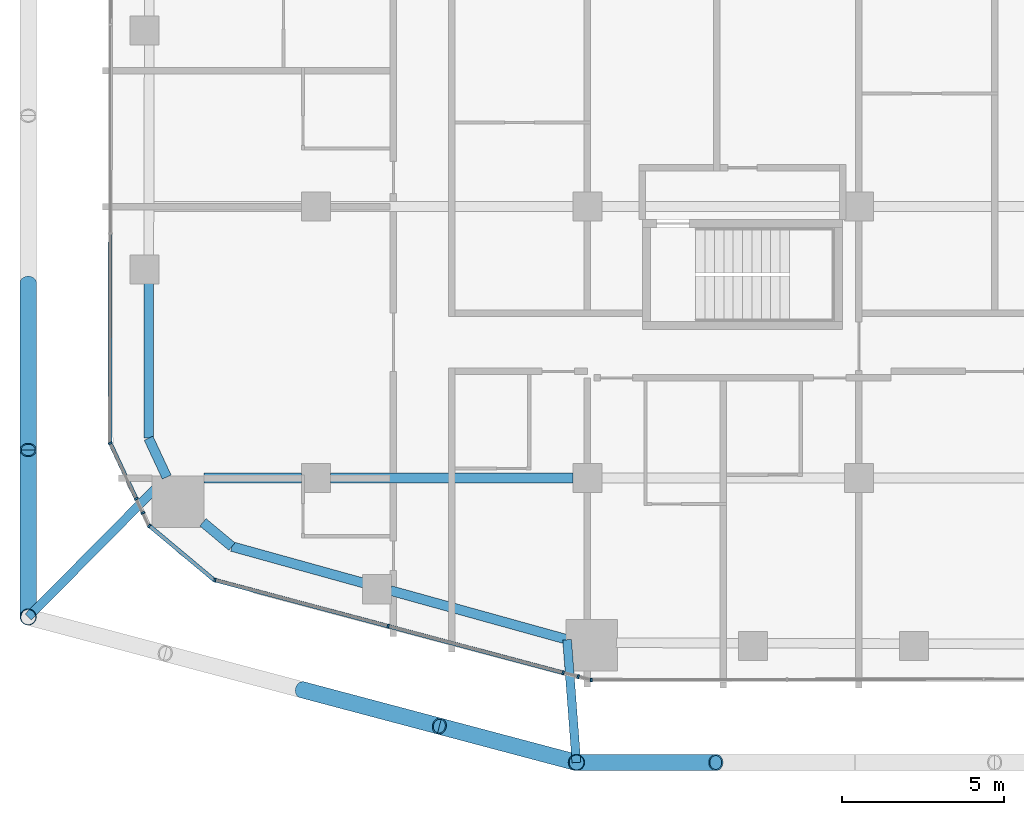
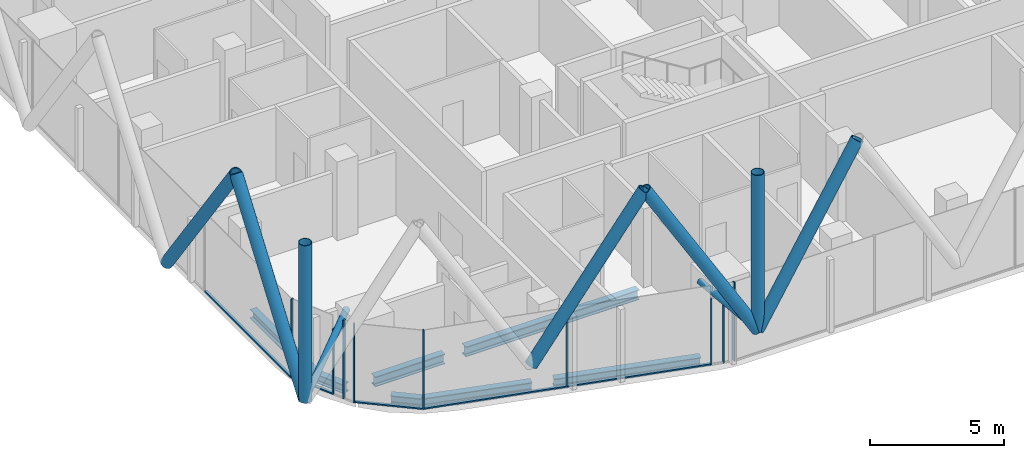
# One storey, part 2 of 33: 23 members, 7 beams, 9 elements without a shape of their own.
"""IFC4 building model written with IfcOpenShell, lengths in metres."""

from ifc_helpers import new_model, si_unit, direction, frame, origin, origin_2d, place, context, subcontext, project, spatial, rectangle, hollow_circle, i_section, extrude, material, layer, layer_set, material_profile, profile_set, type_object, element, aggregate, save


model = new_model("IFC4")

# Units and contexts
model_context = context("Model", 3, precision=1e-05, world=origin(), true_north=direction((0.0, 1.0)))
body_context = subcontext(model_context, "Body", "Model", "MODEL_VIEW")
ifc_project = project(units=[si_unit("LENGTHUNIT", "METRE"), si_unit("AREAUNIT", "SQUARE_METRE"), si_unit("VOLUMEUNIT", "CUBIC_METRE"), si_unit("PLANEANGLEUNIT", "RADIAN"), si_unit("MASSUNIT", "GRAM", prefix="KILO")], contexts=[model_context])

# Site, building, storey
site_placement = place(None, origin())
site = spatial("IfcSite", under=ifc_project, at=site_placement, CompositionType="ELEMENT")
building_placement = place(site_placement, origin())
building = spatial("IfcBuilding", under=site, at=building_placement, Name="Marenta Gate Hotel Tower", CompositionType="ELEMENT")
storey_placement = place(building_placement, frame((0.0, 0.0, 122.89990234375)))
storey = spatial("IfcBuildingStorey", under=building, at=storey_placement, Name="L27", CompositionType="ELEMENT", Elevation=122.89990234375)

# Members
ifc_material_1 = material(Name="Steel S355J2W", Category="steel")
ifc_material_profile_1 = material_profile(ifc_material_1, hollow_circle(Radius=0.25390625, WallThickness=0.02490234375, at=origin_2d()), Name="CHS 508x25")
ifc_profile_set_1 = profile_set([ifc_material_profile_1], Name="Steel S355J2W")
member_type_1 = type_object("IfcMemberType", Name="Diagrid corner post Z2 CHS 508x25", PredefinedType="POST", material=ifc_profile_set_1)
for number, where, z_axis, x_axis, name in (
    (1, (-12.93896484375, -25.60009765625, 3.14013671875), (0.0, 0.0, 1.0), (1.0, 0.0, 0.0), "L27-DR-4"),
    (2, (-29.89990234375, -21.10009765625, 3.14013671875), (0.0, 0.0, 1.0), (1.0, 0.0, 0.0), "L27-DR-5"),
):
    element("IfcMember", number, at=place(storey_placement, frame(where, z_axis=z_axis, x_axis=x_axis)), inside=storey, type_object=member_type_1, Name=name, PredefinedType="POST", context=body_context, shape_type="SweptSolid", body=[
        extrude(hollow_circle(Radius=0.25390625, WallThickness=0.02490234375, at=origin_2d()), origin(), (0.0, 0.0, 1.0), 7.199951171875),
    ])
ifc_material_2 = material(Name="Steel S355J2W", Category="steel")
ifc_material_profile_2 = material_profile(ifc_material_2, hollow_circle(Radius=0.25390625, WallThickness=0.0400390625, at=origin_2d()), Name="CHS 508x40")
ifc_profile_set_2 = profile_set([ifc_material_profile_2], Name="Steel S355J2W")
member_type_2 = type_object("IfcMemberType", Name="Diagrid diagonal Z2 CHS 508x40", PredefinedType="BRACE", material=ifc_profile_set_2)
member_1_placement = place(storey_placement, frame((-12.93896484375, -25.60009765625, 3.14013671875), z_axis=(0.513883902774, 0.0, 0.857859740558), x_axis=(0.0, 1.0, 0.0)))
element("IfcMember", 3, at=member_1_placement, inside=storey, type_object=member_type_2, Name="L27-DG-20", PredefinedType="BRACE", context=body_context, shape_type="SweptSolid", body=[
    extrude(hollow_circle(Radius=0.25390625, WallThickness=0.0400390625, at=origin_2d()), origin(), (0.0, 0.0, 1.0), 8.392822265625),
])
for number, where, z_axis, x_axis, name in (
    (4, (-12.93896484375, -25.60009765625, 3.14013671875), (-0.502924018666, 0.133433548941, 0.853968921838), (-0.256443187528, -0.96655930577, 0.0), "L27-DG-21"),
    (5, (-21.41943359375, -23.35009765625, 3.14013671875), (0.502924018666, -0.133433548941, 0.853968921838), (0.256443187528, 0.96655930577, 0.0), "L27-DG-22"),
):
    element("IfcMember", number, at=place(storey_placement, frame(where, z_axis=z_axis, x_axis=x_axis)), inside=storey, type_object=member_type_2, Name=name, PredefinedType="BRACE", context=body_context, shape_type="SweptSolid", body=[
        extrude(hollow_circle(Radius=0.25390625, WallThickness=0.0400390625, at=origin_2d()), origin(), (0.0, 0.0, 1.0), 8.43115234375),
    ])
member_2_placement = place(storey_placement, frame((-29.89990234375, -21.10009765625, 3.14013671875), z_axis=(0.0, 0.583260841117, 0.812284919975), x_axis=(-1.0, 0.0, 0.0)))
element("IfcMember", 6, at=member_2_placement, inside=storey, type_object=member_type_2, Name="L27-DG-25", PredefinedType="BRACE", context=body_context, shape_type="SweptSolid", body=[
    extrude(hollow_circle(Radius=0.25390625, WallThickness=0.0400390625, at=origin_2d()), origin(), (0.0, 0.0, 1.0), 8.86376953125),
])
member_3_placement = place(storey_placement, frame((-29.89990234375, -10.760009765625, 3.14013671875), z_axis=(0.0, -0.583279014058, 0.812271870595), x_axis=(1.0, 0.0, 0.0)))
element("IfcMember", 7, at=member_3_placement, inside=storey, type_object=member_type_2, Name="L27-DG-26", PredefinedType="BRACE", context=body_context, shape_type="SweptSolid", body=[
    extrude(hollow_circle(Radius=0.25390625, WallThickness=0.0400390625, at=origin_2d()), origin(), (0.0, 0.0, 1.0), 8.864013671875),
])

# Beams
ifc_material_3 = material(Name="Steel S355", Category="steel")
ifc_material_profile_3 = material_profile(ifc_material_3, i_section(OverallWidth=0.300048828125, OverallDepth=0.39990234375, WebThickness=0.013427734375, FlangeThickness=0.02392578125, FilletRadius=0.027099609375, at=origin_2d()), Name="HEB 400")
ifc_profile_set_3 = profile_set([ifc_material_profile_3], Name="Steel S355")
beam_type_1 = type_object("IfcBeamType", Name="Edge beam HEB 400", PredefinedType="SPANDREL", material=ifc_profile_set_3)
beam_1_placement = place(storey_placement, frame((-13.227783203125, -21.794677734375, -0.4599609375), z_axis=(-0.963615860477, 0.267290990189, 0.0), x_axis=(-0.267290990189, -0.963615860477, 0.0)))
element("IfcBeam", 8, at=beam_1_placement, inside=storey, type_object=beam_type_1, Name="L27-EB-1", PredefinedType="SPANDREL", context=body_context, shape_type="SweptSolid", body=[
    extrude(i_section(OverallWidth=0.300048828125, OverallDepth=0.39990234375, WebThickness=0.013427734375, FlangeThickness=0.02392578125, FilletRadius=0.027099609375, at=origin_2d()), origin(), (0.0, 0.0, 1.0), 5.674072265625),
])
beam_2_placement = place(storey_placement, frame((-19.518310546875, -20.0498046875, -0.4599609375), z_axis=(-0.963630213062, 0.267239242016, 0.0), x_axis=(-0.267239242016, -0.963630213062, 0.0)))
element("IfcBeam", 9, at=beam_2_placement, inside=storey, type_object=beam_type_1, Name="L27-EB-2", PredefinedType="SPANDREL", context=body_context, shape_type="SweptSolid", body=[
    extrude(i_section(OverallWidth=0.300048828125, OverallDepth=0.39990234375, WebThickness=0.013427734375, FlangeThickness=0.02392578125, FilletRadius=0.027099609375, at=origin_2d()), origin(), (0.0, 0.0, 1.0), 4.232666015625),
])
beam_3_placement = place(storey_placement, frame((-23.596923828125, -18.918701171875, -0.4599609375), z_axis=(-0.767073132856, 0.641559668972, 0.0), x_axis=(-0.641559668972, -0.767073132856, 0.0)))
element("IfcBeam", 10, at=beam_3_placement, inside=storey, type_object=beam_type_1, Name="L27-EB-3", PredefinedType="SPANDREL", context=body_context, shape_type="SweptSolid", body=[
    extrude(i_section(OverallWidth=0.300048828125, OverallDepth=0.39990234375, WebThickness=0.013427734375, FlangeThickness=0.02392578125, FilletRadius=0.027099609375, at=origin_2d()), origin(), (0.0, 0.0, 1.0), 1.1689453125),
])
beam_4_placement = place(storey_placement, frame((-25.613525390625, -16.769287109375, -0.4599609375), z_axis=(-0.423207780269, 0.906032656541, 0.0), x_axis=(-0.906032656541, -0.423207780269, 0.0)))
element("IfcBeam", 11, at=beam_4_placement, inside=storey, type_object=beam_type_1, Name="L27-EB-4", PredefinedType="SPANDREL", context=body_context, shape_type="SweptSolid", body=[
    extrude(i_section(OverallWidth=0.300048828125, OverallDepth=0.39990234375, WebThickness=0.013427734375, FlangeThickness=0.02392578125, FilletRadius=0.027099609375, at=origin_2d()), origin(), (0.0, 0.0, 1.0), 1.326904296875),
])
beam_5_placement = place(storey_placement, frame((-26.175048828125, -15.567138671875, -0.4599609375), z_axis=(0.001371810517, 0.999999059068, 0.0), x_axis=(-0.999999059068, 0.001371810517, 0.0)))
element("IfcBeam", 12, at=beam_5_placement, inside=storey, type_object=beam_type_1, Name="L27-EB-5", PredefinedType="SPANDREL", context=body_context, shape_type="SweptSolid", body=[
    extrude(i_section(OverallWidth=0.300048828125, OverallDepth=0.39990234375, WebThickness=0.013427734375, FlangeThickness=0.02392578125, FilletRadius=0.027099609375, at=origin_2d()), origin(), (0.0, 0.0, 1.0), 4.80517578125),
])

# Members
ifc_material_4 = material(Name="Steel S355J2W", Category="steel")
ifc_material_profile_4 = material_profile(ifc_material_4, hollow_circle(Radius=0.136474609375, WallThickness=0.012451171875, at=origin_2d()), Name="CHS 273x12.5")
ifc_profile_set_4 = profile_set([ifc_material_profile_4], Name="Steel S355J2W")
member_type_3 = type_object("IfcMemberType", Name="Floor tie CHS 273x12.5", PredefinedType="STRUT", material=ifc_profile_set_4)
member_4_placement = place(storey_placement, frame((-12.93896484375, -25.60009765625, 3.14013671875), z_axis=(-0.075691735753, 0.997131265751, 0.0), x_axis=(-0.997131265751, -0.075691735753, 0.0)))
element("IfcMember", 13, at=member_4_placement, inside=storey, type_object=member_type_3, Name="L27-DR-10", PredefinedType="STRUT", context=body_context, shape_type="SweptSolid", body=[
    extrude(hollow_circle(Radius=0.136474609375, WallThickness=0.012451171875, at=origin_2d()), origin(), (0.0, 0.0, 1.0), 3.809326171875),
])
member_5_placement = place(storey_placement, frame((-29.89990234375, -21.10009765625, 3.14013671875), z_axis=(0.703467207322, 0.710727717359, 0.0), x_axis=(-0.710727717359, 0.703467207322, 0.0)))
element("IfcMember", 14, at=member_5_placement, inside=storey, type_object=member_type_3, Name="L27-DR-11", PredefinedType="STRUT", context=body_context, shape_type="SweptSolid", body=[
    extrude(hollow_circle(Radius=0.136474609375, WallThickness=0.012451171875, at=origin_2d()), origin(), (0.0, 0.0, 1.0), 6.086181640625),
])

# Beams
ifc_material_5 = material(Name="Steel S355", Category="steel")
ifc_material_profile_5 = material_profile(ifc_material_5, i_section(OverallWidth=0.300048828125, OverallDepth=0.449951171875, WebThickness=0.013916015625, FlangeThickness=0.02587890625, FilletRadius=0.027099609375, at=origin_2d()), Name="HEB 450")
ifc_profile_set_5 = profile_set([ifc_material_profile_5], Name="Steel S355")
beam_type_2 = type_object("IfcBeamType", Name="Girder HEB 450", PredefinedType="BEAM", material=ifc_profile_set_5)
beam_6_placement = place(storey_placement, frame((-24.462890625, -16.800048828125, -0.48486328125), z_axis=(1.0, 0.0, 0.0), x_axis=(0.0, 1.0, 0.0)))
element("IfcBeam", 15, at=beam_6_placement, inside=storey, type_object=beam_type_2, Name="L27-GD-1", PredefinedType="BEAM", context=body_context, shape_type="SweptSolid", body=[
    extrude(i_section(OverallWidth=0.300048828125, OverallDepth=0.449951171875, WebThickness=0.013916015625, FlangeThickness=0.02587890625, FilletRadius=0.027099609375, at=origin_2d()), origin(), (0.0, 0.0, 1.0), 3.012939453125),
])
beam_7_placement = place(storey_placement, frame((-20.550048828125, -16.800048828125, -0.48486328125), z_axis=(1.0, 0.0, 0.0), x_axis=(0.0, 1.0, 0.0)))
element("IfcBeam", 16, at=beam_7_placement, inside=storey, type_object=beam_type_2, Name="L27-GD-2", PredefinedType="BEAM", context=body_context, shape_type="SweptSolid", body=[
    extrude(i_section(OverallWidth=0.300048828125, OverallDepth=0.449951171875, WebThickness=0.013916015625, FlangeThickness=0.02587890625, FilletRadius=0.027099609375, at=origin_2d()), origin(), (0.0, 0.0, 1.0), 7.5),
])

# Curtain wall, member
ifc_material_6 = material(Name="Tinted insulated glass in bronze anodised frame", Category="glass")
ifc_layer = layer(ifc_material_6, 0.1201171875)
ifc_layer_set = layer_set([ifc_layer], Name="Tinted insulated glass in bronze anodised frame")
curtain_wall_type = type_object("IfcCurtainWallType", Name="Tower unitised curtain wall CW1", PredefinedType="NOTDEFINED", material=ifc_layer_set)
curtain_wall_1_placement = place(storey_placement, origin())
curtain_wall_1 = element("IfcCurtainWall", 17, at=curtain_wall_1_placement, inside=storey, type_object=curtain_wall_type, Name="CW1 run G05", PredefinedType="NOTDEFINED")
ifc_material_7 = material(Name="Bronze anodised aluminium", Category="aluminium")
ifc_material_profile_6 = material_profile(ifc_material_7, rectangle(XDim=0.1201171875, YDim=0.06005859375, at=origin_2d()), Name="Mullion CW1 60x120 bronze anodised aluminium")
ifc_profile_set_6 = profile_set([ifc_material_profile_6], Name="Bronze anodised aluminium")
member_type_4 = type_object("IfcMemberType", Name="Mullion CW1 60x120 bronze anodised aluminium", PredefinedType="MULLION", material=ifc_profile_set_6)
member_6_placement = place(storey_placement, frame((-27.3603515625, -15.720947265625, 0.0), z_axis=(0.0, 0.0, 1.0), x_axis=(0.90596765607, 0.423346909938, 0.0)))
member_6 = element("IfcMember", 18, at=member_6_placement, type_object=member_type_4, Name="CW1 mullion 1", PredefinedType="MULLION", context=body_context, shape_type="SweptSolid", body=[
    extrude(rectangle(XDim=0.1201171875, YDim=0.06005859375, at=origin_2d()), origin(), (0.0, 0.0, 1.0), 3.60009765625),
])

curtain_wall_2_placement = place(storey_placement, origin())
curtain_wall_2 = element("IfcCurtainWall", 19, at=curtain_wall_2_placement, inside=storey, type_object=curtain_wall_type, Name="CW1 run G06", PredefinedType="NOTDEFINED")
member_7_placement = place(storey_placement, frame((-26.556884765625, -17.4404296875, 0.0), z_axis=(0.0, 0.0, 1.0), x_axis=(0.905960772222, 0.423361641148, 0.0)))
member_7 = element("IfcMember", 20, at=member_7_placement, type_object=member_type_4, Name="CW1 mullion 1", PredefinedType="MULLION", context=body_context, shape_type="SweptSolid", body=[
    extrude(rectangle(XDim=0.1201171875, YDim=0.06005859375, at=origin_2d()), origin(), (0.0, 0.0, 1.0), 3.00048828125),
])
aggregate(curtain_wall_2, [member_7])

curtain_wall_3_placement = place(storey_placement, origin())
curtain_wall_3 = element("IfcCurtainWall", 21, at=curtain_wall_3_placement, inside=storey, type_object=curtain_wall_type, Name="CW1 run G07", PredefinedType="NOTDEFINED")
member_8_placement = place(storey_placement, frame((-26.352294921875, -17.8779296875, 0.0), z_axis=(0.0, 0.0, 1.0), x_axis=(0.906001027936, 0.42327548639, 0.0)))
member_8 = element("IfcMember", 22, at=member_8_placement, type_object=member_type_4, Name="CW1 mullion 1", PredefinedType="MULLION", context=body_context, shape_type="SweptSolid", body=[
    extrude(rectangle(XDim=0.1201171875, YDim=0.06005859375, at=origin_2d()), origin(), (0.0, 0.0, 1.0), 3.60009765625),
])
aggregate(curtain_wall_3, [member_8])

curtain_wall_4_placement = place(storey_placement, origin())
curtain_wall_4 = element("IfcCurtainWall", 23, at=curtain_wall_4_placement, inside=storey, type_object=curtain_wall_type, Name="CW1 run G08", PredefinedType="NOTDEFINED")
member_9_placement = place(storey_placement, frame((-26.152099609375, -18.27685546875, 0.0), z_axis=(0.0, 0.0, 1.0), x_axis=(0.641512168126, 0.767112858807, 0.0)))
member_9 = element("IfcMember", 24, at=member_9_placement, type_object=member_type_4, Name="CW1 mullion 1", PredefinedType="MULLION", context=body_context, shape_type="SweptSolid", body=[
    extrude(rectangle(XDim=0.1201171875, YDim=0.06005859375, at=origin_2d()), origin(), (0.0, 0.0, 1.0), 3.60009765625),
])

# Curtain wall, members
curtain_wall_5_placement = place(storey_placement, origin())
curtain_wall_5 = element("IfcCurtainWall", 25, at=curtain_wall_5_placement, inside=storey, type_object=curtain_wall_type, Name="CW1 run G09", PredefinedType="NOTDEFINED")
member_10_placement = place(storey_placement, frame((-24.12451171875, -19.955810546875, 0.0), z_axis=(0.0, 0.0, 1.0), x_axis=(0.257143521209, 0.966373224743, 0.0)))
member_10 = element("IfcMember", 26, at=member_10_placement, type_object=member_type_4, Name="CW1 mullion 1", PredefinedType="MULLION", context=body_context, shape_type="SweptSolid", body=[
    extrude(rectangle(XDim=0.1201171875, YDim=0.06005859375, at=origin_2d()), origin(), (0.0, 0.0, 1.0), 3.60009765625),
])
member_11_placement = place(storey_placement, frame((-18.765380859375, -21.3818359375, 0.0), z_axis=(0.0, 0.0, 1.0), x_axis=(0.257143521209, 0.966373224743, 0.0)))
member_11 = element("IfcMember", 27, at=member_11_placement, type_object=member_type_4, Name="CW1 mullion 2", PredefinedType="MULLION", context=body_context, shape_type="SweptSolid", body=[
    extrude(rectangle(XDim=0.1201171875, YDim=0.06005859375, at=origin_2d()), origin(), (0.0, 0.0, 1.0), 3.60009765625),
])

# Curtain wall, member
curtain_wall_6_placement = place(storey_placement, origin())
curtain_wall_6 = element("IfcCurtainWall", 28, at=curtain_wall_6_placement, inside=storey, type_object=curtain_wall_type, Name="CW1 run G10", PredefinedType="NOTDEFINED")
member_12_placement = place(storey_placement, frame((-13.348388671875, -22.8232421875, 0.0), z_axis=(0.0, 0.0, 1.0), x_axis=(0.257026845764, 0.966404263523, 0.0)))
member_12 = element("IfcMember", 29, at=member_12_placement, type_object=member_type_4, Name="CW1 mullion 1", PredefinedType="MULLION", context=body_context, shape_type="SweptSolid", body=[
    extrude(rectangle(XDim=0.1201171875, YDim=0.06005859375, at=origin_2d()), origin(), (0.0, 0.0, 1.0), 3.00048828125),
])
aggregate(curtain_wall_6, [member_12])

curtain_wall_7_placement = place(storey_placement, origin())
curtain_wall_7 = element("IfcCurtainWall", 30, at=curtain_wall_7_placement, inside=storey, type_object=curtain_wall_type, Name="CW1 run G11", PredefinedType="NOTDEFINED")
member_13_placement = place(storey_placement, frame((-12.884765625, -22.946533203125, 0.0), z_axis=(0.0, 0.0, 1.0), x_axis=(0.257279256414, 0.966337096576, 0.0)))
member_13 = element("IfcMember", 31, at=member_13_placement, type_object=member_type_4, Name="CW1 mullion 1", PredefinedType="MULLION", context=body_context, shape_type="SweptSolid", body=[
    extrude(rectangle(XDim=0.1201171875, YDim=0.06005859375, at=origin_2d()), origin(), (0.0, 0.0, 1.0), 3.60009765625),
])
aggregate(curtain_wall_7, [member_13])

curtain_wall_8_placement = place(storey_placement, origin())
curtain_wall_8 = element("IfcCurtainWall", 32, at=curtain_wall_8_placement, inside=storey, type_object=curtain_wall_type, Name="CW1 run G12", PredefinedType="NOTDEFINED")
member_14_placement = place(storey_placement, frame((-12.475830078125, -23.04736328125, 0.0), z_axis=(0.0, 0.0, 1.0), x_axis=(-0.00136470383, 0.999999068791, 0.0)))
member_14 = element("IfcMember", 33, at=member_14_placement, type_object=member_type_4, Name="CW1 mullion 1", PredefinedType="MULLION", context=body_context, shape_type="SweptSolid", body=[
    extrude(rectangle(XDim=0.1201171875, YDim=0.06005859375, at=origin_2d()), origin(), (0.0, 0.0, 1.0), 3.60009765625),
])
aggregate(curtain_wall_8, [member_14])

curtain_wall_9_placement = place(storey_placement, origin())
curtain_wall_9 = element("IfcCurtainWall", 34, at=curtain_wall_9_placement, inside=storey, type_object=curtain_wall_type, Name="CW1 run G04", PredefinedType="NOTDEFINED")
ifc_material_8 = material(Name="Bronze anodised aluminium", Category="aluminium")
ifc_material_profile_7 = material_profile(ifc_material_8, rectangle(XDim=0.1201171875, YDim=0.06005859375, at=origin_2d()), Name="Transom CW1 60x120 bronze anodised aluminium")
ifc_profile_set_7 = profile_set([ifc_material_profile_7], Name="Bronze anodised aluminium")
member_type_5 = type_object("IfcMemberType", Name="Transom CW1 60x120 bronze anodised aluminium", PredefinedType="USERDEFINED", material=ifc_profile_set_7)
member_15_placement = place(storey_placement, frame((-27.363037109375, -9.263916015625, 0.030029296875), z_axis=(-0.001556743377, -0.999998788274, 0.0), x_axis=(0.999998788274, -0.001556743377, 0.0)))
member_15 = element("IfcMember", 35, at=member_15_placement, type_object=member_type_5, Name="CW1 transom 6.1", ObjectType="TRANSOM", PredefinedType="USERDEFINED", context=body_context, shape_type="SweptSolid", body=[
    extrude(rectangle(XDim=0.1201171875, YDim=0.06005859375, at=origin_2d()), origin(), (0.0, 0.0, 1.0), 6.429931640625),
])
aggregate(curtain_wall_9, [member_15])

# Member
member_16_placement = place(storey_placement, frame((-27.34765625, -15.748046875, 0.030029296875), z_axis=(0.423307157051, -0.905986231015, 0.0), x_axis=(0.905986231015, 0.423307157051, 0.0)))
member_16 = element("IfcMember", 36, at=member_16_placement, type_object=member_type_5, Name="CW1 transom 1.1", ObjectType="TRANSOM", PredefinedType="USERDEFINED", context=body_context, shape_type="SweptSolid", body=[
    extrude(rectangle(XDim=0.1201171875, YDim=0.06005859375, at=origin_2d()), origin(), (0.0, 0.0, 1.0), 1.838134765625),
])

aggregate(curtain_wall_1, [member_6, member_16])

member_17_placement = place(storey_placement, frame((-26.12890625, -18.296142578125, 0.030029296875), z_axis=(0.767116735682, -0.641507532175, 0.0), x_axis=(0.641507532175, 0.767116735682, 0.0)))
member_17 = element("IfcMember", 37, at=member_17_placement, type_object=member_type_5, Name="CW1 transom 1.1", ObjectType="TRANSOM", PredefinedType="USERDEFINED", context=body_context, shape_type="SweptSolid", body=[
    extrude(rectangle(XDim=0.1201171875, YDim=0.06005859375, at=origin_2d()), origin(), (0.0, 0.0, 1.0), 2.575439453125),
])

aggregate(curtain_wall_4, [member_9, member_17])

member_18_placement = place(storey_placement, frame((-24.095458984375, -19.963623046875, 0.030029296875), z_axis=(0.966369250889, -0.257158454918, 0.0), x_axis=(0.257158454918, 0.966369250889, 0.0)))
member_18 = element("IfcMember", 38, at=member_18_placement, type_object=member_type_5, Name="CW1 transom 1.1", ObjectType="TRANSOM", PredefinedType="USERDEFINED", context=body_context, shape_type="SweptSolid", body=[
    extrude(rectangle(XDim=0.1201171875, YDim=0.06005859375, at=origin_2d()), origin(), (0.0, 0.0, 1.0), 5.485595703125),
])

member_19_placement = place(storey_placement, frame((-18.736328125, -21.3896484375, 0.030029296875), z_axis=(0.966369990087, -0.257155677089, 0.0), x_axis=(0.257155677089, 0.966369990087, 0.0)))
member_19 = element("IfcMember", 39, at=member_19_placement, type_object=member_type_5, Name="CW1 transom 2.1", ObjectType="TRANSOM", PredefinedType="USERDEFINED", context=body_context, shape_type="SweptSolid", body=[
    extrude(rectangle(XDim=0.1201171875, YDim=0.06005859375, at=origin_2d()), origin(), (0.0, 0.0, 1.0), 5.54541015625),
])

aggregate(curtain_wall_5, [member_10, member_11, member_18, member_19])

save(model, "model.ifc")
